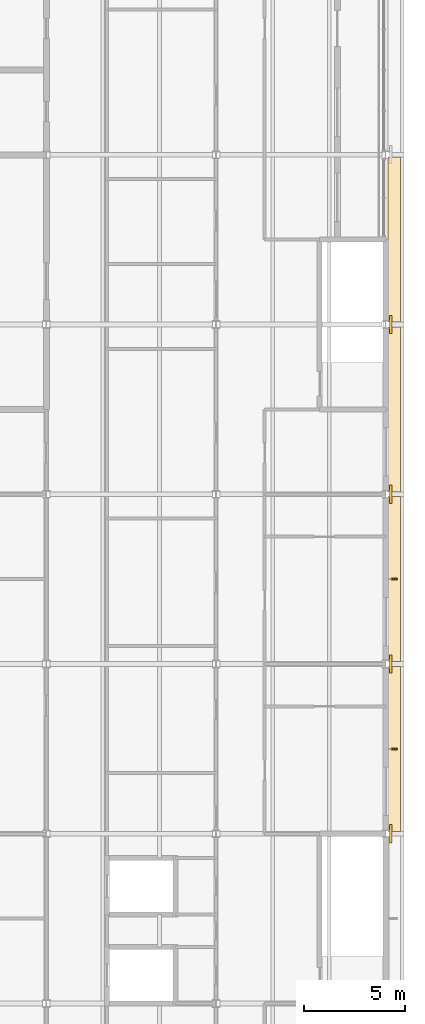
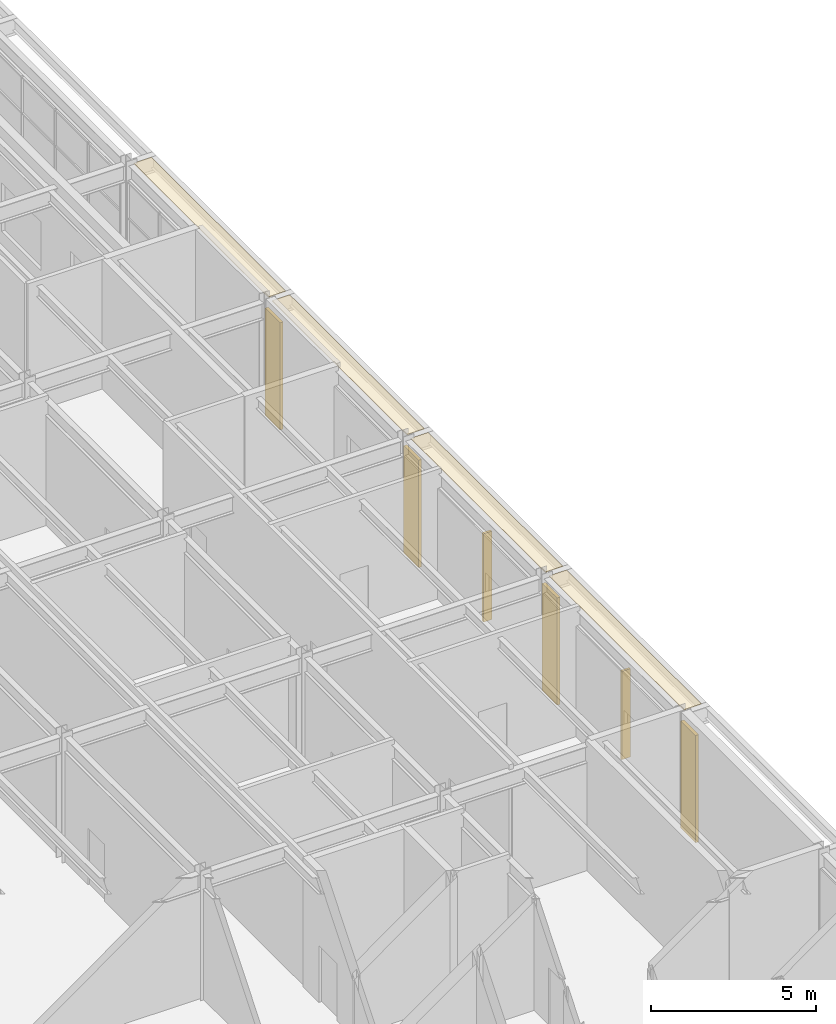
# One storey, part 107 of 116: 8 coverings, 2 shading devices.
"""IFC4 building model written with IfcOpenShell, lengths in metres."""

from ifc_helpers import new_model, si_unit, direction, frame, origin, origin_2d, place, context, subcontext, project, spatial, polyline, rectangle, outline, extrude, material, layer, layer_set, type_object, element, save


model = new_model("IFC4")

# Units and contexts
model_context = context("Model", 3, precision=1e-05, world=origin(), true_north=direction((0.0, 1.0)))
body_context = subcontext(model_context, "Body", "Model", "MODEL_VIEW")
ifc_project = project(units=[si_unit("LENGTHUNIT", "METRE"), si_unit("AREAUNIT", "SQUARE_METRE"), si_unit("VOLUMEUNIT", "CUBIC_METRE"), si_unit("PLANEANGLEUNIT", "RADIAN"), si_unit("MASSUNIT", "GRAM", prefix="KILO")], contexts=[model_context])

# Site, building, storey
site_placement = place(None, origin())
site = spatial("IfcSite", under=ifc_project, at=site_placement, CompositionType="ELEMENT")
building_placement = place(site_placement, origin())
building = spatial("IfcBuilding", under=site, at=building_placement, Name="Ljudholm Concert House", CompositionType="ELEMENT")
storey_placement = place(building_placement, frame((0.0, 0.0, 10.199951171875)))
storey = spatial("IfcBuildingStorey", under=building, at=storey_placement, Name="L02", CompositionType="ELEMENT", Elevation=10.199951171875)

# Coverings
ifc_material_1 = material(Name="Aluminium extrusion with timber-grain PVDF finish", Category="aluminium")
ifc_layer_1 = layer(ifc_material_1, 0.030029296875)
ifc_layer_set_1 = layer_set([ifc_layer_1], Name="Aluminium extrusion with timber-grain PVDF finish")
covering_type_1 = type_object("IfcCoveringType", Name="ALUMINIUM EXTRUSION WITH TIMBER-GRAIN PVDF FINISH CEILING 30", PredefinedType="CEILING", material=ifc_layer_set_1)
covering_1_placement = place(storey_placement, frame((0.0, 0.0, 4.590087890625)))
element("IfcCovering", 1, at=covering_1_placement, inside=storey, type_object=covering_type_1, Name="Eave soffit", PredefinedType="CEILING", context=body_context, shape_type="SweptSolid", body=[
    extrude(outline(polyline([(121.70458984375, 37.714599609375), (122.322265625, 37.714599609375), (122.322265625, 45.885498046875), (121.70458984375, 45.885498046875), (121.70458984375, 37.714599609375)])), origin(), (0.0, 0.0, 1.0), 0.030029296875),
])
covering_2_placement = place(storey_placement, frame((0.0, 0.0, 4.590087890625)))
element("IfcCovering", 2, at=covering_2_placement, inside=storey, type_object=covering_type_1, Name="Eave soffit", PredefinedType="CEILING", context=body_context, shape_type="SweptSolid", body=[
    extrude(outline(polyline([(121.70458984375, 46.114501953125), (122.322265625, 46.114501953125), (122.322265625, 54.285400390625), (121.70458984375, 54.285400390625), (121.70458984375, 46.114501953125)])), origin(), (0.0, 0.0, 1.0), 0.030029296875),
])
covering_3_placement = place(storey_placement, frame((0.0, 0.0, 4.590087890625)))
element("IfcCovering", 3, at=covering_3_placement, inside=storey, type_object=covering_type_1, Name="Eave soffit", PredefinedType="CEILING", context=body_context, shape_type="SweptSolid", body=[
    extrude(outline(polyline([(121.70458984375, 54.5146484375), (122.322265625, 54.5146484375), (122.322265625, 62.685546875), (121.70458984375, 62.685546875), (121.70458984375, 54.5146484375)])), origin(), (0.0, 0.0, 1.0), 0.030029296875),
])
covering_4_placement = place(storey_placement, frame((0.0, 0.0, 4.590087890625)))
element("IfcCovering", 4, at=covering_4_placement, inside=storey, type_object=covering_type_1, Name="Eave soffit", PredefinedType="CEILING", context=body_context, shape_type="SweptSolid", body=[
    extrude(outline(polyline([(121.70458984375, 62.91455078125), (122.322265625, 62.91455078125), (122.322265625, 71.08544921875), (121.70458984375, 71.08544921875), (121.70458984375, 62.91455078125)])), origin(), (0.0, 0.0, 1.0), 0.030029296875),
])

# Shading devices
ifc_material_2 = material(Name="Aluminium extrusion with timber-grain PVDF finish", Category="aluminium")
shading_device_type = type_object("IfcShadingDeviceType", Name="FACADE FIN 300x80", PredefinedType="SHUTTER", material=ifc_material_2)
for number, where, z_axis, x_axis, name in (
    (5, (122.02001953125, 41.800048828125, 0.25), (0.0, 0.0, 1.0), (1.0, 0.0, 0.0), "Facade fin"),
    (6, (122.02001953125, 50.199951171875, 0.25), (0.0, 0.0, 1.0), (1.0, 0.0, 0.0), "Facade fin"),
):
    element("IfcShadingDevice", number, at=place(storey_placement, frame(where, z_axis=z_axis, x_axis=x_axis)), inside=storey, type_object=shading_device_type, Name=name, PredefinedType="SHUTTER", context=body_context, shape_type="SweptSolid", body=[
        extrude(rectangle(XDim=0.300048828125, YDim=0.080078125, at=origin_2d()), origin(), (0.0, 0.0, 1.0), 3.27001953125),
    ])

# Coverings
ifc_material_3 = material(Name="Precast concrete, limestone aggregate", Category="masonry")
ifc_layer_2 = layer(ifc_material_3, 0.110107421875)
ifc_layer_set_2 = layer_set([ifc_layer_2], Name="Precast concrete, limestone aggregate")
covering_type_2 = type_object("IfcCoveringType", Name="PRECAST CONCRETE, LIMESTONE AGGREGATE CLADDING 110", PredefinedType="CLADDING", material=ifc_layer_set_2)
for number, where, z_axis, x_axis, name in (
    (7, (121.844970703125, 37.60009765625, 0.0), (0.0, 0.0, 1.0), (1.0, 0.0, 0.0), "Pilaster cladding"),
    (8, (121.844970703125, 46.0, 0.0), (0.0, 0.0, 1.0), (1.0, 0.0, 0.0), "Pilaster cladding"),
    (9, (121.844970703125, 54.39990234375, 0.0), (0.0, 0.0, 1.0), (1.0, 0.0, 0.0), "Pilaster cladding"),
    (10, (121.844970703125, 62.800048828125, 0.0), (0.0, 0.0, 1.0), (1.0, 0.0, 0.0), "Pilaster cladding"),
):
    element("IfcCovering", number, at=place(storey_placement, frame(where, z_axis=z_axis, x_axis=x_axis)), inside=storey, type_object=covering_type_2, Name=name, PredefinedType="CLADDING", context=body_context, shape_type="SweptSolid", body=[
        extrude(rectangle(XDim=0.110107421875, YDim=0.89990234375, at=origin_2d()), origin(), (0.0, 0.0, 1.0), 3.969970703125),
    ])

save(model, "model.ifc")
